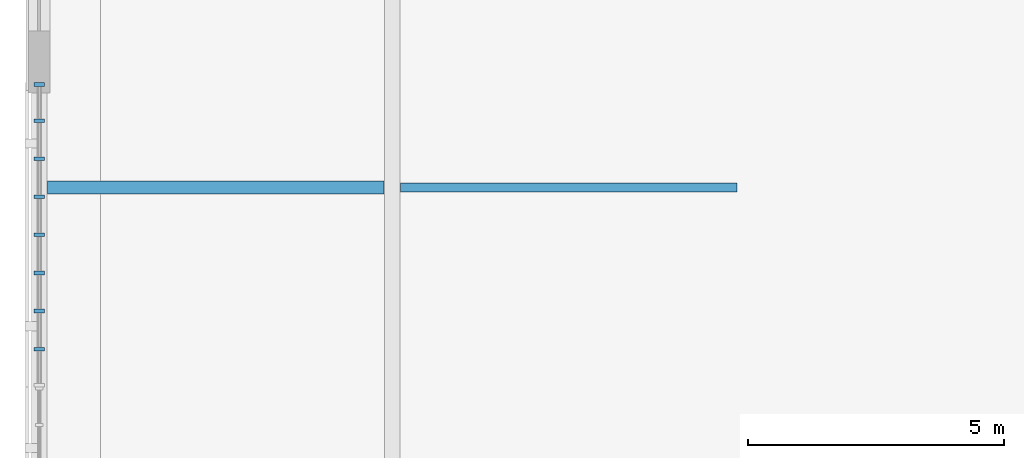
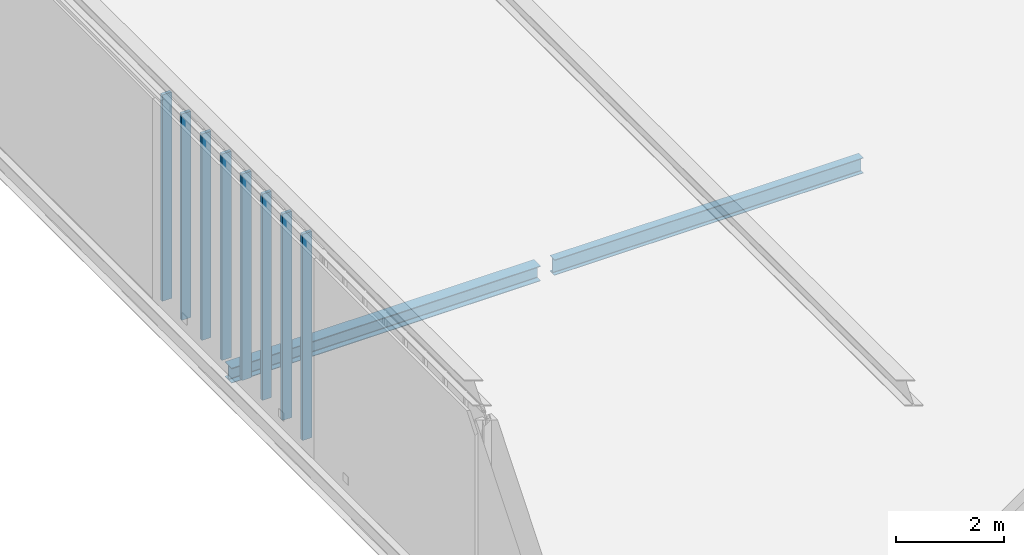
# One storey, part 19 of 135: 8 members, 2 beams, 1 element without a shape of its own.
"""IFC4 building model written with IfcOpenShell, lengths in metres."""

from ifc_helpers import new_model, si_unit, direction, frame, origin, origin_2d, place, context, subcontext, project, spatial, rectangle, i_section, extrude, material, material_profile, profile_set, type_object, element, aggregate, save


model = new_model("IFC4")

# Units and contexts
model_context = context("Model", 3, precision=1e-05, world=origin(), true_north=direction((0.0, 1.0)))
body_context = subcontext(model_context, "Body", "Model", "MODEL_VIEW")
ifc_project = project(units=[si_unit("LENGTHUNIT", "METRE"), si_unit("AREAUNIT", "SQUARE_METRE"), si_unit("VOLUMEUNIT", "CUBIC_METRE"), si_unit("PLANEANGLEUNIT", "RADIAN"), si_unit("MASSUNIT", "GRAM", prefix="KILO")], contexts=[model_context])

# Site, building, storey
site_placement = place(None, origin())
site = spatial("IfcSite", under=ifc_project, at=site_placement, CompositionType="ELEMENT")
building_placement = place(site_placement, origin())
building = spatial("IfcBuilding", under=site, at=building_placement, Name="Larkvane Passage Sports Hall", CompositionType="ELEMENT")
storey_placement = place(building_placement, frame((0.0, 0.0, 16.800048828125)))
storey = spatial("IfcBuildingStorey", under=building, at=storey_placement, Name="L03", CompositionType="ELEMENT", Elevation=16.800048828125)

# Curtain wall, members
ifc_material_1 = material(Name="Thermally broken aluminium and low-E glazing", Category="aluminium")
curtain_wall_type = type_object("IfcCurtainWallType", Name="CW-UNIT-VEIL", PredefinedType="USERDEFINED", material=ifc_material_1)
curtain_wall_placement = place(storey_placement, origin())
curtain_wall = element("IfcCurtainWall", 1, at=curtain_wall_placement, inside=storey, type_object=curtain_wall_type, Name="Curtain wall CW5-L03-133", ObjectType="UNITISED CURTAIN WALL", PredefinedType="USERDEFINED")
ifc_material_2 = material(Name="Anodised aluminium 6063-T6", Category="aluminium")
ifc_material_profile_1 = material_profile(ifc_material_2, rectangle(XDim=0.070068359375, YDim=0.199951171875, at=origin_2d()), Name="ALU-MUL-70x200")
ifc_profile_set_1 = profile_set([ifc_material_profile_1], Name="Anodised aluminium 6063-T6")
member_type = type_object("IfcMemberType", Name="CW-MUL-70x200", PredefinedType="MULLION", material=ifc_profile_set_1)
member_1_placement = place(storey_placement, frame((0.0, 64.24365234375, 0.0), z_axis=(0.0, 0.0, 1.0), x_axis=(0.0, 1.0, 0.0)))
member_1 = element("IfcMember", 2, at=member_1_placement, type_object=member_type, Name="CW-02 mullion 2", PredefinedType="MULLION", context=body_context, shape_type="SweptSolid", body=[
    extrude(rectangle(XDim=0.070068359375, YDim=0.199951171875, at=origin_2d()), origin(), (0.0, 0.0, 1.0), 4.64794921875),
])
member_2_placement = place(storey_placement, frame((0.0, 64.987548828125, 0.0), z_axis=(0.0, 0.0, 1.0), x_axis=(0.0, 1.0, 0.0)))
member_2 = element("IfcMember", 3, at=member_2_placement, type_object=member_type, Name="CW-02 mullion 3", PredefinedType="MULLION", context=body_context, shape_type="SweptSolid", body=[
    extrude(rectangle(XDim=0.070068359375, YDim=0.199951171875, at=origin_2d()), origin(), (0.0, 0.0, 1.0), 4.64794921875),
])
member_3_placement = place(storey_placement, frame((0.0, 65.731201171875, 0.0), z_axis=(0.0, 0.0, 1.0), x_axis=(0.0, 1.0, 0.0)))
member_3 = element("IfcMember", 4, at=member_3_placement, type_object=member_type, Name="CW-02 mullion 4", PredefinedType="MULLION", context=body_context, shape_type="SweptSolid", body=[
    extrude(rectangle(XDim=0.070068359375, YDim=0.199951171875, at=origin_2d()), origin(), (0.0, 0.0, 1.0), 4.64794921875),
])
member_4_placement = place(storey_placement, frame((0.0, 66.47509765625, 0.0), z_axis=(0.0, 0.0, 1.0), x_axis=(0.0, 1.0, 0.0)))
member_4 = element("IfcMember", 5, at=member_4_placement, type_object=member_type, Name="CW-02 mullion 5", PredefinedType="MULLION", context=body_context, shape_type="SweptSolid", body=[
    extrude(rectangle(XDim=0.070068359375, YDim=0.199951171875, at=origin_2d()), origin(), (0.0, 0.0, 1.0), 4.64794921875),
])
member_5_placement = place(storey_placement, frame((0.0, 67.21875, 0.0), z_axis=(0.0, 0.0, 1.0), x_axis=(0.0, 1.0, 0.0)))
member_5 = element("IfcMember", 6, at=member_5_placement, type_object=member_type, Name="CW-02 mullion 6", PredefinedType="MULLION", context=body_context, shape_type="SweptSolid", body=[
    extrude(rectangle(XDim=0.070068359375, YDim=0.199951171875, at=origin_2d()), origin(), (0.0, 0.0, 1.0), 4.64794921875),
])
member_6_placement = place(storey_placement, frame((0.0, 67.96240234375, 0.0), z_axis=(0.0, 0.0, 1.0), x_axis=(0.0, 1.0, 0.0)))
member_6 = element("IfcMember", 7, at=member_6_placement, type_object=member_type, Name="CW-02 mullion 7", PredefinedType="MULLION", context=body_context, shape_type="SweptSolid", body=[
    extrude(rectangle(XDim=0.070068359375, YDim=0.199951171875, at=origin_2d()), origin(), (0.0, 0.0, 1.0), 4.64794921875),
])
member_7_placement = place(storey_placement, frame((0.0, 68.706298828125, 0.0), z_axis=(0.0, 0.0, 1.0), x_axis=(0.0, 1.0, 0.0)))
member_7 = element("IfcMember", 8, at=member_7_placement, type_object=member_type, Name="CW-02 mullion 8", PredefinedType="MULLION", context=body_context, shape_type="SweptSolid", body=[
    extrude(rectangle(XDim=0.070068359375, YDim=0.199951171875, at=origin_2d()), origin(), (0.0, 0.0, 1.0), 4.64794921875),
])
member_8_placement = place(storey_placement, frame((0.0, 69.4150390625, 0.0), z_axis=(0.0, 0.0, 1.0), x_axis=(0.0, 1.0, 0.0)))
member_8 = element("IfcMember", 9, at=member_8_placement, type_object=member_type, Name="CW-02 mullion 9", PredefinedType="MULLION", context=body_context, shape_type="SweptSolid", body=[
    extrude(rectangle(XDim=0.070068359375, YDim=0.199951171875, at=origin_2d()), origin(), (0.0, 0.0, 1.0), 4.64794921875),
])
aggregate(curtain_wall, [member_1, member_2, member_3, member_4, member_5, member_6, member_7, member_8])

# Beams
ifc_material_3 = material(Name="Steel S355JR", Category="steel")
ifc_material_profile_2 = material_profile(ifc_material_3, i_section(OverallWidth=0.25, OverallDepth=0.340087890625, WebThickness=0.009033203125, FlangeThickness=0.013916015625, FilletRadius=0.012939453125, at=origin_2d()), Name="H-340x250x9x14")
ifc_profile_set_2 = profile_set([ifc_material_profile_2], Name="Steel S355JR")
beam_type_1 = type_object("IfcBeamType", Name="JST-STL-H340", PredefinedType="JOIST", material=ifc_profile_set_2)
beam_1_placement = place(storey_placement, frame((0.159912109375, 67.39990234375, -0.489990234375), z_axis=(1.0, 0.0, 0.0), x_axis=(0.0, 1.0, 0.0)))
element("IfcBeam", 10, at=beam_1_placement, inside=storey, type_object=beam_type_1, Name="Cantilever floor joist CT-W3A--1-2", PredefinedType="JOIST", context=body_context, shape_type="SweptSolid", body=[
    extrude(i_section(OverallWidth=0.25, OverallDepth=0.340087890625, WebThickness=0.009033203125, FlangeThickness=0.013916015625, FilletRadius=0.012939453125, at=origin_2d()), origin(), (0.0, 0.0, 1.0), 6.580078125),
])
ifc_material_profile_3 = material_profile(ifc_material_3, i_section(OverallWidth=0.175048828125, OverallDepth=0.35009765625, WebThickness=0.007080078125, FlangeThickness=0.010986328125, FilletRadius=0.012939453125, at=origin_2d()), Name="H-350x175x7x11")
ifc_profile_set_3 = profile_set([ifc_material_profile_3], Name="Steel S355JR")
beam_type_2 = type_object("IfcBeamType", Name="JST-STL-H350", PredefinedType="JOIST", material=ifc_profile_set_3)
beam_2_placement = place(storey_placement, frame((7.06005859375, 67.39990234375, -0.4951171875), z_axis=(1.0, 0.0, 0.0), x_axis=(0.0, 1.0, 0.0)))
element("IfcBeam", 11, at=beam_2_placement, inside=storey, type_object=beam_type_2, Name="Cantilever floor joist CT-W3A--2-2", PredefinedType="JOIST", context=body_context, shape_type="SweptSolid", body=[
    extrude(i_section(OverallWidth=0.175048828125, OverallDepth=0.35009765625, WebThickness=0.007080078125, FlangeThickness=0.010986328125, FilletRadius=0.012939453125, at=origin_2d()), origin(), (0.0, 0.0, 1.0), 6.579833984375),
])

save(model, "model.ifc")
